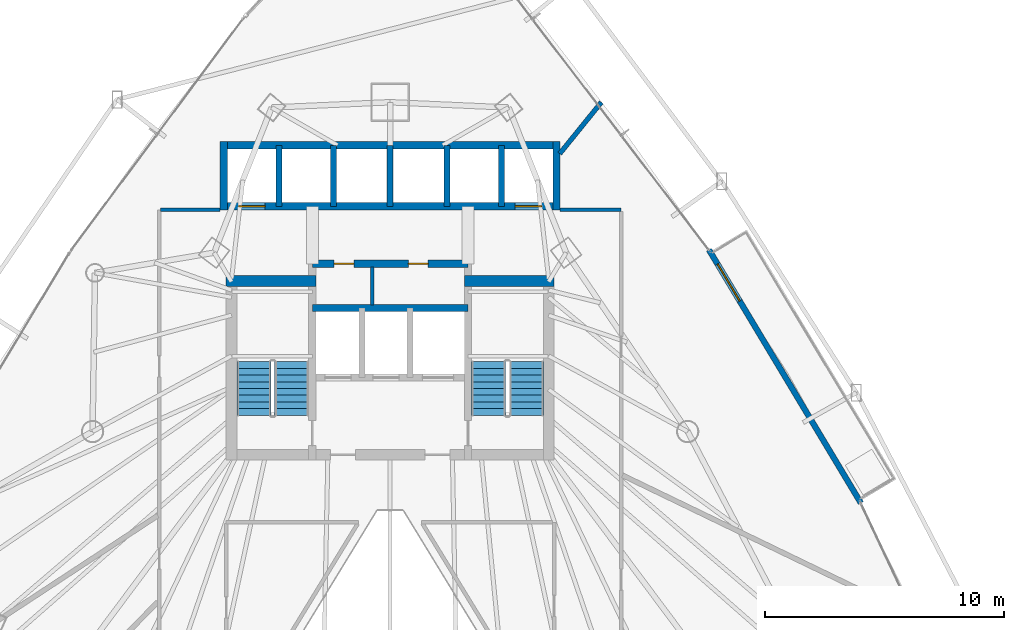
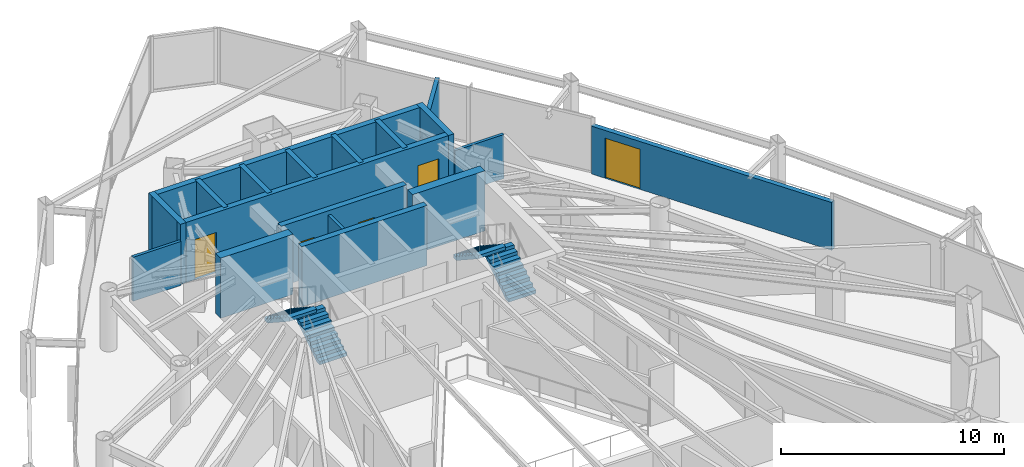
# One storey, part 30 of 33: 18 walls, 5 doors, 4 stair flights, 5 openings, 2 elements without a shape of their own.
"""IFC4 building model written with IfcOpenShell, lengths in metres."""

from ifc_helpers import new_model, si_unit, direction, frame, frame_2d, origin, place, context, subcontext, project, spatial, polyline, rectangle, outline, extrude, material, layer, layer_set, type_object, element, fill, aggregate, save


model = new_model("IFC4")

# Units and contexts
model_context = context("Model", 3, precision=1e-05, world=origin(), true_north=direction((0.0, 1.0)))
body_context = subcontext(model_context, "Body", "Model", "MODEL_VIEW")
ifc_project = project(units=[si_unit("LENGTHUNIT", "METRE"), si_unit("AREAUNIT", "SQUARE_METRE"), si_unit("VOLUMEUNIT", "CUBIC_METRE"), si_unit("PLANEANGLEUNIT", "RADIAN"), si_unit("MASSUNIT", "GRAM", prefix="KILO")], contexts=[model_context])

# Site, building, storey
site_placement = place(None, origin())
site = spatial("IfcSite", under=ifc_project, at=site_placement, CompositionType="ELEMENT")
building_placement = place(site_placement, origin())
building = spatial("IfcBuilding", under=site, at=building_placement, Name="Orvanel Arch Residences", CompositionType="ELEMENT")
storey_placement = place(building_placement, frame((0.0, 0.0, 84.050048828125)))
storey = spatial("IfcBuildingStorey", under=building, at=storey_placement, Name="L23", CompositionType="ELEMENT", Elevation=84.050048828125)

# Wall, opening, door
ifc_material_1 = material(Name="Precast concrete N50 (50 MPa)", Category="concrete")
ifc_layer_1 = layer(ifc_material_1, 0.239990234375)
ifc_layer_set_1 = layer_set([ifc_layer_1], Name="Precast concrete N50 (50 MPa)")
wall_type_1 = type_object("IfcWallType", Name="EW-BAL-240", PredefinedType="SOLIDWALL", material=ifc_layer_set_1)
wall_1_placement = place(storey_placement, frame((52.6708984375, 24.64990234375, 0.0), z_axis=(0.0, 0.0, 1.0), x_axis=(-0.514338730901, 0.857587120877, 0.0)))
wall_1 = element("IfcWall", 1, at=wall_1_placement, inside=storey, type_object=wall_type_1, Name="L23 Balcony Threshold Wall Face 3", PredefinedType="SOLIDWALL", context=body_context, shape_type="SweptSolid", body=[
    extrude(rectangle(XDim=12.34765625, YDim=0.239990234375, at=frame_2d((6.173828125, 0.0))), origin(), (0.0, 0.0, 1.0), 2.6240234375),
])
opening_1_placement = place(wall_1_placement, frame((9.85009765625, 0.0, 0.0)))
opening_1 = element("IfcOpeningElement", 2, at=opening_1_placement, cuts=wall_1, Name="Opening DB-180", PredefinedType="OPENING", context=body_context, shape_type="SweptSolid", body=[
    extrude(rectangle(XDim=1.800048828125, YDim=2.199951171875, at=frame_2d((0.89990234375, 1.10009765625))), frame((0.0, 0.1298828125, 0.0), z_axis=(0.0, -1.0, 0.0), x_axis=(1.0, 0.0, 0.0)), (0.0, 0.0, 1.0), 0.260009765625),
])
ifc_material_2 = material(Name="Bronze-anodised aluminium AA6063-T6", Category="aluminium")
door_type_1 = type_object("IfcDoorType", Name="DR-BAL-1800", OperationType="NOTDEFINED", PredefinedType="DOOR", material=ifc_material_2)
door_1_placement = place(opening_1_placement, origin())
door_1 = element("IfcDoor", 3, at=door_1_placement, inside=storey, type_object=door_type_1, Name="DR-L23-BAL-F3 L23 Planted Balcony Access Door Face 3", OperationType="SINGLE_SWING_RIGHT", OverallHeight=2.199951171875, OverallWidth=1.800048828125, PredefinedType="DOOR", context=body_context, shape_type="SweptSolid", body=[
    extrude(rectangle(XDim=1.800048828125, YDim=2.199951171875, at=frame_2d((0.89990234375, 1.10009765625))), frame((0.0, 0.02490234375, 0.0), z_axis=(0.0, -1.0, 0.0), x_axis=(1.0, 0.0, 0.0)), (0.0, 0.0, 1.0), 0.050048828125),
])
fill(opening_1, door_1)

# Walls
ifc_material_3 = material(Name="Concrete N50 (50 MPa)", Category="concrete")
ifc_layer_2 = layer(ifc_material_3, 0.25)
ifc_layer_set_2 = layer_set([ifc_layer_2], Name="Concrete N50 (50 MPa)")
wall_type_2 = type_object("IfcWallType", Name="SW-CORE-250", PredefinedType="SHEAR", material=ifc_layer_set_2)
for number, where, z_axis, x_axis, name in (
    (4, (28.35009765625, 37.050048828125, 0.0), (0.0, 0.0, 1.0), (0.0, 1.0, 0.0), "L23 Passenger Lift Inter-Shaft Wall P13"),
    (5, (30.625, 37.050048828125, 0.0), (0.0, 0.0, 1.0), (0.0, 1.0, 0.0), "L23 Passenger Lift Inter-Shaft Wall P35"),
    (6, (33.0, 37.050048828125, 0.0), (0.0, 0.0, 1.0), (0.0, 1.0, 0.0), "L23 Passenger Lift Inter-Shaft Wall P56"),
    (7, (35.375, 37.050048828125, 0.0), (0.0, 0.0, 1.0), (0.0, 1.0, 0.0), "L23 Passenger Lift Inter-Shaft Wall P64"),
    (8, (37.64990234375, 37.050048828125, 0.0), (0.0, 0.0, 1.0), (0.0, 1.0, 0.0), "L23 Passenger Lift Inter-Shaft Wall P42"),
):
    element("IfcWall", number, at=place(storey_placement, frame(where, z_axis=z_axis, x_axis=x_axis)), inside=storey, type_object=wall_type_2, Name=name, PredefinedType="SHEAR", context=body_context, shape_type="SweptSolid", body=[
        extrude(rectangle(XDim=2.550048828125, YDim=0.25, at=frame_2d((1.27490234375, 0.0))), origin(), (0.0, 0.0, 1.0), 3.300048828125),
    ])
ifc_material_4 = material(Name="Concrete S80 (80 MPa)", Category="concrete")
ifc_layer_3 = layer(ifc_material_4, 0.300048828125)
ifc_layer_set_3 = layer_set([ifc_layer_3], Name="Concrete S80 (80 MPa)")
wall_type_3 = type_object("IfcWallType", Name="SW-CORE-300", PredefinedType="SHEAR", material=ifc_layer_set_3)
wall_2_placement = place(storey_placement, frame((29.75, 32.800048828125, 0.0), z_axis=(0.0, 0.0, 1.0), x_axis=(1.0, 0.0, 0.0)))
element("IfcWall", 9, at=wall_2_placement, inside=storey, type_object=wall_type_3, Name="L23 Emergency Lift Back Core Shear Wall", PredefinedType="SHEAR", context=body_context, shape_type="SweptSolid", body=[
    extrude(rectangle(XDim=6.5, YDim=0.300048828125, at=frame_2d((3.25, 0.0))), origin(), (0.0, 0.0, 1.0), 3.300048828125),
])

# Wall, openings, doors
wall_3_placement = place(storey_placement, frame((29.75, 34.64990234375, 0.0), z_axis=(0.0, 0.0, 1.0), x_axis=(1.0, 0.0, 0.0)))
wall_3 = element("IfcWall", 10, at=wall_3_placement, inside=storey, type_object=wall_type_3, Name="L23 Core Service Band North Shear Wall", PredefinedType="SHEAR", context=body_context, shape_type="SweptSolid", body=[
    extrude(rectangle(XDim=6.5, YDim=0.300048828125, at=frame_2d((3.25, 0.0))), origin(), (0.0, 0.0, 1.0), 3.300048828125),
])
opening_2_placement = place(wall_3_placement, frame((0.9150390625, 0.0, 0.0)))
opening_2 = element("IfcOpeningElement", 11, at=opening_2_placement, cuts=wall_3, Name="Opening DS-082", PredefinedType="OPENING", context=body_context, shape_type="SweptSolid", body=[
    extrude(rectangle(XDim=0.820068359375, YDim=2.10009765625, at=frame_2d((0.41015625, 1.050048828125))), frame((0.0, 0.159912109375, 0.0), z_axis=(0.0, -1.0, 0.0), x_axis=(1.0, 0.0, 0.0)), (0.0, 0.0, 1.0), 0.320068359375),
])
opening_3_placement = place(wall_3_placement, frame((4.014892578125, 0.0, 0.0)))
opening_3 = element("IfcOpeningElement", 12, at=opening_3_placement, cuts=wall_3, Name="Opening DW-082", PredefinedType="OPENING", context=body_context, shape_type="SweptSolid", body=[
    extrude(rectangle(XDim=0.820068359375, YDim=2.10009765625, at=frame_2d((0.41015625, 1.050048828125))), frame((0.0, 0.159912109375, 0.0), z_axis=(0.0, -1.0, 0.0), x_axis=(1.0, 0.0, 0.0)), (0.0, 0.0, 1.0), 0.320068359375),
])
ifc_material_5 = material(Name="Galvanised steel fire-resisting door assembly", Category="steel")
door_type_2 = type_object("IfcDoorType", Name="DR-SVC-820", OperationType="NOTDEFINED", PredefinedType="DOOR", material=ifc_material_5)
door_2_placement = place(opening_2_placement, origin())
door_2 = element("IfcDoor", 13, at=door_2_placement, inside=storey, type_object=door_type_2, Name="DR-L23-CSVC-1 L23 Floor Cleaner's Store Door", OperationType="SINGLE_SWING_LEFT", OverallHeight=2.10009765625, OverallWidth=0.820068359375, PredefinedType="DOOR", context=body_context, shape_type="SweptSolid", body=[
    extrude(rectangle(XDim=0.820068359375, YDim=2.10009765625, at=frame_2d((0.41015625, 1.050048828125))), frame((0.0, 0.02490234375, 0.0), z_axis=(0.0, -1.0, 0.0), x_axis=(1.0, 0.0, 0.0)), (0.0, 0.0, 1.0), 0.050048828125),
])
fill(opening_2, door_2)
ifc_material_6 = material(Name="Solid-core European oak veneer fire door leaf", Category="wood")
door_type_3 = type_object("IfcDoorType", Name="DR-WET-820", OperationType="NOTDEFINED", PredefinedType="DOOR", material=ifc_material_6)
door_3_placement = place(opening_3_placement, origin())
door_3 = element("IfcDoor", 14, at=door_3_placement, inside=storey, type_object=door_type_3, Name="DR-L23-CSVC-2 L23 Core Accessible WC Door", OperationType="SINGLE_SWING_LEFT", OverallHeight=2.10009765625, OverallWidth=0.820068359375, PredefinedType="DOOR", context=body_context, shape_type="SweptSolid", body=[
    extrude(rectangle(XDim=0.820068359375, YDim=2.10009765625, at=frame_2d((0.41015625, 1.050048828125))), frame((0.0, 0.02490234375, 0.0), z_axis=(0.0, -1.0, 0.0), x_axis=(1.0, 0.0, 0.0)), (0.0, 0.0, 1.0), 0.050048828125),
])
fill(opening_3, door_3)

wall_4_placement = place(storey_placement, frame((40.10009765625, 37.050048828125, 0.0), z_axis=(0.0, 0.0, 1.0), x_axis=(-1.0, 0.0, 0.0)))
wall_4 = element("IfcWall", 15, at=wall_4_placement, inside=storey, type_object=wall_type_3, Name="L23 Passenger Lift Bank Front Shear Wall", PredefinedType="SHEAR", context=body_context, shape_type="SweptSolid", body=[
    extrude(rectangle(XDim=14.2001953125, YDim=0.300048828125, at=frame_2d((7.10009765625, 0.0))), origin(), (0.0, 0.0, 1.0), 3.300048828125),
])
opening_4_placement = place(wall_4_placement, frame((12.324951171875, 0.0, 0.0)))
opening_4 = element("IfcOpeningElement", 16, at=opening_4_placement, cuts=wall_4, Name="Opening LD-110", PredefinedType="OPENING", context=body_context, shape_type="SweptSolid", body=[
    extrude(rectangle(XDim=1.10009765625, YDim=2.199951171875, at=frame_2d((0.550048828125, 1.10009765625))), frame((0.0, 0.159912109375, 0.0), z_axis=(0.0, -1.0, 0.0), x_axis=(1.0, 0.0, 0.0)), (0.0, 0.0, 1.0), 0.320068359375),
])
opening_5_placement = place(wall_4_placement, frame((0.77490234375, 0.0, 0.0)))
opening_5 = element("IfcOpeningElement", 17, at=opening_5_placement, cuts=wall_4, Name="Opening LD-110", PredefinedType="OPENING", context=body_context, shape_type="SweptSolid", body=[
    extrude(rectangle(XDim=1.10009765625, YDim=2.199951171875, at=frame_2d((0.550048828125, 1.10009765625))), frame((0.0, 0.159912109375, 0.0), z_axis=(0.0, -1.0, 0.0), x_axis=(1.0, 0.0, 0.0)), (0.0, 0.0, 1.0), 0.320068359375),
])
door_type_4 = type_object("IfcDoorType", Name="DR-LFT-1100", OperationType="NOTDEFINED", PredefinedType="DOOR", material=ifc_material_5)
door_4_placement = place(opening_4_placement, origin())
door_4 = element("IfcDoor", 18, at=door_4_placement, inside=storey, type_object=door_type_4, Name="LD-P1-L23 L23 Passenger Lift P1 Sliding Landing Door", OperationType="DOUBLE_DOOR_SLIDING", OverallHeight=2.199951171875, OverallWidth=1.10009765625, PredefinedType="DOOR", context=body_context, shape_type="SweptSolid", body=[
    extrude(rectangle(XDim=1.10009765625, YDim=2.199951171875, at=frame_2d((0.550048828125, 1.10009765625))), frame((0.0, 0.02490234375, 0.0), z_axis=(0.0, -1.0, 0.0), x_axis=(1.0, 0.0, 0.0)), (0.0, 0.0, 1.0), 0.050048828125),
])
fill(opening_4, door_4)
door_5_placement = place(opening_5_placement, origin())
door_5 = element("IfcDoor", 19, at=door_5_placement, inside=storey, type_object=door_type_4, Name="LD-P2-L23 L23 Passenger Lift P2 Sliding Landing Door", OperationType="DOUBLE_DOOR_SLIDING", OverallHeight=2.199951171875, OverallWidth=1.10009765625, PredefinedType="DOOR", context=body_context, shape_type="SweptSolid", body=[
    extrude(rectangle(XDim=1.10009765625, YDim=2.199951171875, at=frame_2d((0.550048828125, 1.10009765625))), frame((0.0, 0.02490234375, 0.0), z_axis=(0.0, -1.0, 0.0), x_axis=(1.0, 0.0, 0.0)), (0.0, 0.0, 1.0), 0.050048828125),
])
fill(opening_5, door_5)

# Walls
wall_5_placement = place(storey_placement, frame((25.89990234375, 39.60009765625, 0.0), z_axis=(0.0, 0.0, 1.0), x_axis=(1.0, 0.0, 0.0)))
element("IfcWall", 20, at=wall_5_placement, inside=storey, type_object=wall_type_3, Name="L23 Passenger Lift Bank North Shear Wall", PredefinedType="SHEAR", context=body_context, shape_type="SweptSolid", body=[
    extrude(rectangle(XDim=14.2001953125, YDim=0.300048828125, at=frame_2d((7.10009765625, 0.0))), origin(), (0.0, 0.0, 1.0), 3.300048828125),
])
for number, where, z_axis, x_axis, name in (
    (21, (26.050048828125, 36.89990234375, 0.0), (0.0, 0.0, 1.0), (0.0, 1.0, 0.0), "L23 Passenger Lift Bank West Shear Wall"),
    (22, (39.949951171875, 36.89990234375, 0.0), (0.0, 0.0, 1.0), (0.0, 1.0, 0.0), "L23 Passenger Lift Bank East Shear Wall"),
):
    element("IfcWall", number, at=place(storey_placement, frame(where, z_axis=z_axis, x_axis=x_axis)), inside=storey, type_object=wall_type_3, Name=name, PredefinedType="SHEAR", context=body_context, shape_type="SweptSolid", body=[
        extrude(rectangle(XDim=2.85009765625, YDim=0.300048828125, at=frame_2d((1.425048828125, 0.0))), origin(), (0.0, 0.0, 1.0), 3.300048828125),
    ])
ifc_layer_4 = layer(ifc_material_4, 0.449951171875)
ifc_layer_set_4 = layer_set([ifc_layer_4], Name="Concrete S80 (80 MPa)")
wall_type_4 = type_object("IfcWallType", Name="SW-CORE-450", PredefinedType="SHEAR", material=ifc_layer_set_4)
for number, where, z_axis, x_axis, name in (
    (23, (26.14990234375, 33.925048828125, 0.0), (0.0, 0.0, 1.0), (1.0, 0.0, 0.0), "L23 West Stair North Shear Wall"),
    (24, (36.10009765625, 33.925048828125, 0.0), (0.0, 0.0, 1.0), (1.0, 0.0, 0.0), "L23 East Stair North Shear Wall"),
):
    element("IfcWall", number, at=place(storey_placement, frame(where, z_axis=z_axis, x_axis=x_axis)), inside=storey, type_object=wall_type_4, Name=name, PredefinedType="SHEAR", context=body_context, shape_type="SweptSolid", body=[
        extrude(rectangle(XDim=3.75, YDim=0.449951171875, at=frame_2d((1.875, 0.0))), origin(), (0.0, 0.0, 1.0), 3.300048828125),
    ])
ifc_material_7 = material(Name="Fire-rated plasterboard lined steel stud partition", Category="steel")
ifc_layer_5 = layer(ifc_material_7, 0.14990234375)
ifc_layer_set_5 = layer_set([ifc_layer_5], Name="Fire-rated plasterboard lined steel stud partition")
wall_type_5 = type_object("IfcWallType", Name="W-COR-150", PredefinedType="PARTITIONING", material=ifc_layer_set_5)
wall_6_placement = place(storey_placement, frame((40.10009765625, 36.89990234375, 0.0), z_axis=(0.0, 0.0, 1.0), x_axis=(1.0, 0.0, 0.0)))
element("IfcWall", 25, at=wall_6_placement, inside=storey, type_object=wall_type_5, Name="L23 Corridor Fire-Rated Partition", PredefinedType="PARTITIONING", context=body_context, shape_type="SweptSolid", body=[
    extrude(rectangle(XDim=2.5498046875, YDim=0.14990234375, at=frame_2d((1.27490234375, 0.0))), origin(), (0.0, 0.0, 1.0), 2.412841796875),
])
wall_7_placement = place(storey_placement, frame((23.409912109375, 36.89990234375, 0.0), z_axis=(0.0, 0.0, 1.0), x_axis=(1.0, 0.0, 0.0)))
element("IfcWall", 26, at=wall_7_placement, inside=storey, type_object=wall_type_5, Name="L23 Corridor Fire-Rated Partition", PredefinedType="PARTITIONING", context=body_context, shape_type="SweptSolid", body=[
    extrude(rectangle(XDim=2.489990234375, YDim=0.14990234375, at=frame_2d((1.2451171875, 0.0))), origin(), (0.0, 0.0, 1.0), 2.412841796875),
])
ifc_layer_6 = layer(ifc_material_7, 0.199951171875)
ifc_layer_set_6 = layer_set([ifc_layer_6], Name="Fire-rated plasterboard lined steel stud partition")
wall_type_6 = type_object("IfcWallType", Name="W-DEM-200", PredefinedType="PARTITIONING", material=ifc_layer_set_6)
wall_8_placement = place(storey_placement, frame((41.823974609375, 41.39697265625, 0.0), z_axis=(0.0, 0.0, 1.0), x_axis=(-0.629241429285, -0.777209896792, 0.0)))
element("IfcWall", 27, at=wall_8_placement, inside=storey, type_object=wall_type_6, Name="L23 Inter-Tenancy Acoustic Demising Wall", PredefinedType="PARTITIONING", context=body_context, shape_type="SweptSolid", body=[
    extrude(rectangle(XDim=2.763671875, YDim=0.199951171875, at=frame_2d((1.3818359375, 0.0))), origin(), (0.0, 0.0, 1.0), 3.06005859375),
])
ifc_layer_7 = layer(ifc_material_7, 0.14990234375)
ifc_layer_set_7 = layer_set([ifc_layer_7], Name="Fire-rated plasterboard lined steel stud partition")
wall_type_7 = type_object("IfcWallType", Name="W-ST-150", PredefinedType="PARTITIONING", material=ifc_layer_set_7)
wall_9_placement = place(storey_placement, frame((32.25, 32.93505859375, 0.0), z_axis=(0.0, 0.0, 1.0), x_axis=(0.0, 1.0, 0.0)))
element("IfcWall", 28, at=wall_9_placement, inside=storey, type_object=wall_type_7, Name="L23 Core Service Partition 1", PredefinedType="PARTITIONING", context=body_context, shape_type="SweptSolid", body=[
    extrude(rectangle(XDim=1.579833984375, YDim=0.14990234375, at=frame_2d((0.7900390625, 0.0))), origin(), (0.0, 0.0, 1.0), 3.06005859375),
])

# Stair, stair flights
stair_type = type_object("IfcStairType", Name="STR-DOG-184", PredefinedType="USERDEFINED", material=ifc_material_1)
stair_1_placement = place(storey_placement, origin())
stair_1 = element("IfcStair", 29, at=stair_1_placement, inside=storey, type_object=stair_type, Name="L23 Fire-Isolated Core Exit Stair 1", ObjectType="TWO_RETURN_STAIR", PredefinedType="USERDEFINED")
stair_flight_type_1 = type_object("IfcStairFlightType", Name="SFL-C1-184", PredefinedType="STRAIGHT", material=ifc_material_1)
stair_flight_1_placement = place(storey_placement, frame((28.889892578125, 28.320068359375, 0.0), z_axis=(0.0, 0.0, 1.0), x_axis=(0.0, 1.0, 0.0)))
stair_flight_1 = element("IfcStairFlight", 30, at=stair_flight_1_placement, type_object=stair_flight_type_1, Name="ST-1 flight 1", NumberOfRisers=9, NumberOfTreads=8, PredefinedType="STRAIGHT", RiserHeight=0.183333333, TreadLength=0.28, context=body_context, shape_type="SweptSolid", body=[
    extrude(outline(polyline([(0.0, 0.0), (0.0, 0.183349609375), (0.280029296875, 0.183349609375), (0.280029296875, 0.36669921875), (0.56005859375, 0.36669921875), (0.56005859375, 0.550048828125), (0.840087890625, 0.550048828125), (0.840087890625, 0.7333984375), (1.1201171875, 0.7333984375), (1.1201171875, 0.916748046875), (1.39990234375, 0.916748046875), (1.39990234375, 1.10009765625), (1.679931640625, 1.10009765625), (1.679931640625, 1.283447265625), (1.9599609375, 1.283447265625), (1.9599609375, 1.466552734375), (2.239990234375, 1.466552734375), (2.239990234375, 1.64990234375), (2.239990234375, 1.28759765625), (0.273681640625, 0.0), (0.0, 0.0)])), frame((0.0, 0.7099609375, 0.0), z_axis=(0.0, -1.0, 0.0), x_axis=(1.0, 0.0, 0.0)), (0.0, 0.0, 1.0), 1.419921875),
])
stair_flight_2_placement = place(storey_placement, frame((27.31005859375, 30.56005859375, 1.64990234375), z_axis=(0.0, 0.0, 1.0), x_axis=(0.0, -1.0, 0.0)))
stair_flight_2 = element("IfcStairFlight", 31, at=stair_flight_2_placement, type_object=stair_flight_type_1, Name="ST-1 flight 2", NumberOfRisers=9, NumberOfTreads=8, PredefinedType="STRAIGHT", RiserHeight=0.183333333, TreadLength=0.28, context=body_context, shape_type="SweptSolid", body=[
    extrude(outline(polyline([(0.0, 0.0), (0.0, 0.183349609375), (0.280029296875, 0.183349609375), (0.280029296875, 0.36669921875), (0.56005859375, 0.36669921875), (0.56005859375, 0.550048828125), (0.840087890625, 0.550048828125), (0.840087890625, 0.7333984375), (1.1201171875, 0.7333984375), (1.1201171875, 0.916748046875), (1.39990234375, 0.916748046875), (1.39990234375, 1.10009765625), (1.679931640625, 1.10009765625), (1.679931640625, 1.283447265625), (1.9599609375, 1.283447265625), (1.9599609375, 1.466552734375), (2.239990234375, 1.466552734375), (2.239990234375, 1.64990234375), (2.239990234375, 1.28759765625), (0.273681640625, 0.0), (0.0, 0.0)])), frame((0.0, 0.7099609375, 0.0), z_axis=(0.0, -1.0, 0.0), x_axis=(1.0, 0.0, 0.0)), (0.0, 0.0, 1.0), 1.419921875),
])
aggregate(stair_1, [stair_flight_1, stair_flight_2])

stair_2_placement = place(storey_placement, origin())
stair_2 = element("IfcStair", 32, at=stair_2_placement, inside=storey, type_object=stair_type, Name="L23 Fire-Isolated Core Exit Stair 2", ObjectType="TWO_RETURN_STAIR", PredefinedType="USERDEFINED")
stair_flight_type_2 = type_object("IfcStairFlightType", Name="SFL-C2-184", PredefinedType="STRAIGHT", material=ifc_material_1)
stair_flight_3_placement = place(storey_placement, frame((38.68994140625, 28.320068359375, 0.0), z_axis=(0.0, 0.0, 1.0), x_axis=(0.0, 1.0, 0.0)))
stair_flight_3 = element("IfcStairFlight", 33, at=stair_flight_3_placement, type_object=stair_flight_type_2, Name="ST-2 flight 1", NumberOfRisers=9, NumberOfTreads=8, PredefinedType="STRAIGHT", RiserHeight=0.183333333, TreadLength=0.28, context=body_context, shape_type="SweptSolid", body=[
    extrude(outline(polyline([(0.0, 0.0), (0.0, 0.183349609375), (0.280029296875, 0.183349609375), (0.280029296875, 0.36669921875), (0.56005859375, 0.36669921875), (0.56005859375, 0.550048828125), (0.840087890625, 0.550048828125), (0.840087890625, 0.7333984375), (1.1201171875, 0.7333984375), (1.1201171875, 0.916748046875), (1.39990234375, 0.916748046875), (1.39990234375, 1.10009765625), (1.679931640625, 1.10009765625), (1.679931640625, 1.283447265625), (1.9599609375, 1.283447265625), (1.9599609375, 1.466552734375), (2.239990234375, 1.466552734375), (2.239990234375, 1.64990234375), (2.239990234375, 1.28759765625), (0.273681640625, 0.0), (0.0, 0.0)])), frame((0.0, 0.7099609375, 0.0), z_axis=(0.0, -1.0, 0.0), x_axis=(1.0, 0.0, 0.0)), (0.0, 0.0, 1.0), 1.419921875),
])
stair_flight_4_placement = place(storey_placement, frame((37.110107421875, 30.56005859375, 1.64990234375), z_axis=(0.0, 0.0, 1.0), x_axis=(0.0, -1.0, 0.0)))
stair_flight_4 = element("IfcStairFlight", 34, at=stair_flight_4_placement, type_object=stair_flight_type_2, Name="ST-2 flight 2", NumberOfRisers=9, NumberOfTreads=8, PredefinedType="STRAIGHT", RiserHeight=0.183333333, TreadLength=0.28, context=body_context, shape_type="SweptSolid", body=[
    extrude(outline(polyline([(0.0, 0.0), (0.0, 0.183349609375), (0.280029296875, 0.183349609375), (0.280029296875, 0.36669921875), (0.56005859375, 0.36669921875), (0.56005859375, 0.550048828125), (0.840087890625, 0.550048828125), (0.840087890625, 0.7333984375), (1.1201171875, 0.7333984375), (1.1201171875, 0.916748046875), (1.39990234375, 0.916748046875), (1.39990234375, 1.10009765625), (1.679931640625, 1.10009765625), (1.679931640625, 1.283447265625), (1.9599609375, 1.283447265625), (1.9599609375, 1.466552734375), (2.239990234375, 1.466552734375), (2.239990234375, 1.64990234375), (2.239990234375, 1.28759765625), (0.273681640625, 0.0), (0.0, 0.0)])), frame((0.0, 0.7099609375, 0.0), z_axis=(0.0, -1.0, 0.0), x_axis=(1.0, 0.0, 0.0)), (0.0, 0.0, 1.0), 1.419921875),
])
aggregate(stair_2, [stair_flight_3, stair_flight_4])

save(model, "model.ifc")
